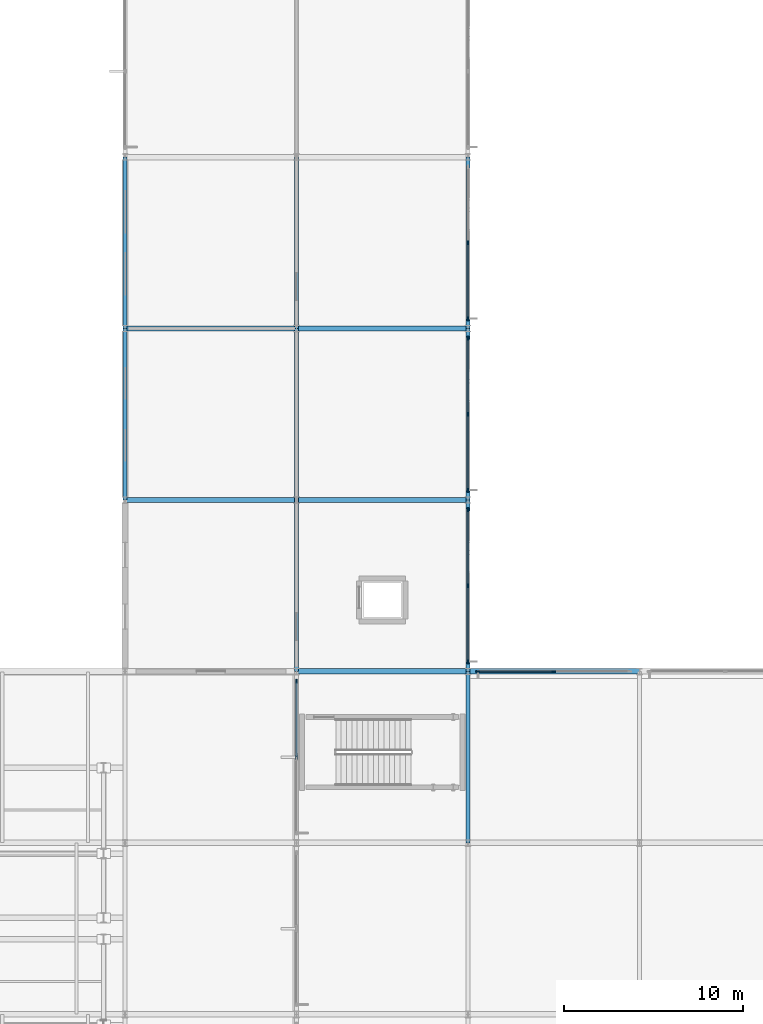
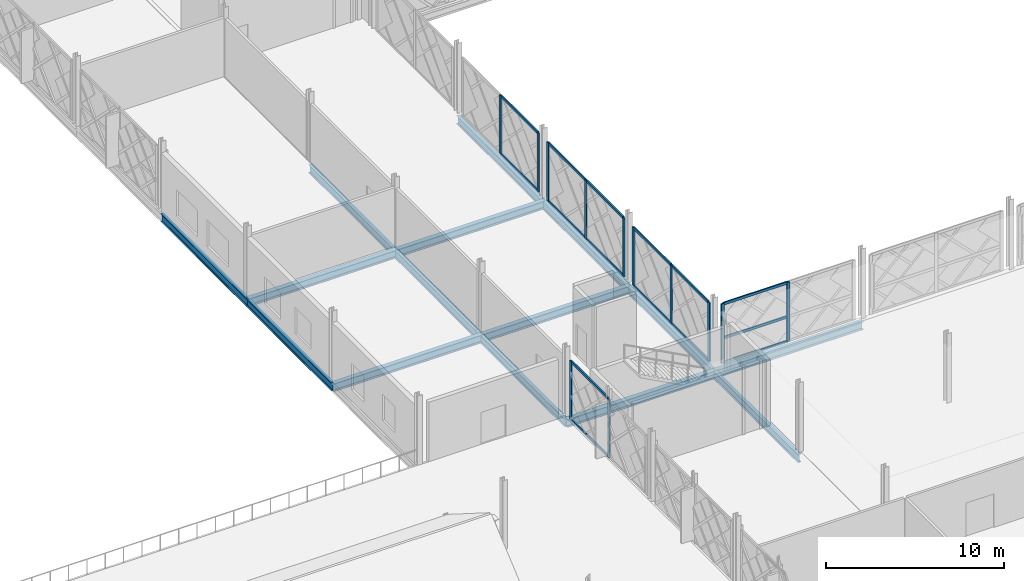
# One storey, part 22 of 77: 27 members, 15 beams, 5 elements without a shape of their own.
"""IFC4 building model written with IfcOpenShell, lengths in metres."""

from ifc_helpers import new_model, si_unit, direction, frame, origin, origin_2d, place, context, subcontext, project, spatial, rectangle, i_section, extrude, material, layer, layer_set, material_profile, profile_set, type_object, element, aggregate, save


model = new_model("IFC4")

# Units and contexts
model_context = context("Model", 3, precision=1e-05, world=origin(), true_north=direction((0.0, 1.0)))
body_context = subcontext(model_context, "Body", "Model", "MODEL_VIEW")
ifc_project = project(units=[si_unit("LENGTHUNIT", "METRE"), si_unit("AREAUNIT", "SQUARE_METRE"), si_unit("VOLUMEUNIT", "CUBIC_METRE"), si_unit("PLANEANGLEUNIT", "RADIAN"), si_unit("MASSUNIT", "GRAM", prefix="KILO")], contexts=[model_context])

# Site, building, storey
site_placement = place(None, origin())
site = spatial("IfcSite", under=ifc_project, at=site_placement, CompositionType="ELEMENT")
building_placement = place(site_placement, origin())
building = spatial("IfcBuilding", under=site, at=building_placement, Name="Zevrakil Square Congress Hotel", CompositionType="ELEMENT")
storey_placement = place(building_placement, frame((0.0, 0.0, 9.89990234375)))
storey = spatial("IfcBuildingStorey", under=building, at=storey_placement, Name="L03", CompositionType="ELEMENT", Elevation=9.89990234375)

# Beams
ifc_material_1 = material(Name="Steel S355", Category="steel")
ifc_material_profile_1 = material_profile(ifc_material_1, i_section(OverallWidth=0.300048828125, OverallDepth=0.5400390625, WebThickness=0.012451171875, FlangeThickness=0.02392578125, FilletRadius=0.027099609375, at=origin_2d()), Name="HEA 550")
ifc_profile_set_1 = profile_set([ifc_material_profile_1], Name="Steel S355")
beam_type_1 = type_object("IfcBeamType", Name="BM-HEA550", PredefinedType="BEAM", material=ifc_profile_set_1)
beam_1_placement = place(storey_placement, frame((55.199951171875, 45.60009765625, -0.52978515625), z_axis=(1.0, 0.0, 0.0), x_axis=(0.0, 1.0, 0.0)))
element("IfcBeam", 1, at=beam_1_placement, inside=storey, type_object=beam_type_1, Name="L03 primary girder BX-1023", PredefinedType="BEAM", context=body_context, shape_type="SweptSolid", body=[
    extrude(i_section(OverallWidth=0.300048828125, OverallDepth=0.5400390625, WebThickness=0.012451171875, FlangeThickness=0.02392578125, FilletRadius=0.027099609375, at=origin_2d()), origin(), (0.0, 0.0, 1.0), 9.60009765625),
])
for number, where, z_axis, x_axis, name in (
    (2, (64.800048828125, 45.60009765625, -0.52978515625), (1.0, 0.0, 0.0), (0.0, 1.0, 0.0), "L03 primary girder BX-1024"),
    (3, (45.60009765625, 55.199951171875, -0.52978515625), (1.0, 0.0, 0.0), (0.0, 1.0, 0.0), "L03 primary girder BX-1034"),
):
    element("IfcBeam", number, at=place(storey_placement, frame(where, z_axis=z_axis, x_axis=x_axis)), inside=storey, type_object=beam_type_1, Name=name, PredefinedType="BEAM", context=body_context, shape_type="SweptSolid", body=[
        extrude(i_section(OverallWidth=0.300048828125, OverallDepth=0.5400390625, WebThickness=0.012451171875, FlangeThickness=0.02392578125, FilletRadius=0.027099609375, at=origin_2d()), origin(), (0.0, 0.0, 1.0), 9.599853515625),
    ])
beam_2_placement = place(storey_placement, frame((55.199951171875, 55.199951171875, -0.52978515625), z_axis=(1.0, 0.0, 0.0), x_axis=(0.0, 1.0, 0.0)))
element("IfcBeam", 4, at=beam_2_placement, inside=storey, type_object=beam_type_1, Name="L03 primary girder BX-1035", PredefinedType="BEAM", context=body_context, shape_type="SweptSolid", body=[
    extrude(i_section(OverallWidth=0.300048828125, OverallDepth=0.5400390625, WebThickness=0.012451171875, FlangeThickness=0.02392578125, FilletRadius=0.027099609375, at=origin_2d()), origin(), (0.0, 0.0, 1.0), 9.60009765625),
])
beam_3_placement = place(storey_placement, frame((45.60009765625, 64.800048828125, -0.52978515625), z_axis=(1.0, 0.0, 0.0), x_axis=(0.0, 1.0, 0.0)))
element("IfcBeam", 5, at=beam_3_placement, inside=storey, type_object=beam_type_1, Name="L03 primary girder BX-1037", PredefinedType="BEAM", context=body_context, shape_type="SweptSolid", body=[
    extrude(i_section(OverallWidth=0.300048828125, OverallDepth=0.5400390625, WebThickness=0.012451171875, FlangeThickness=0.02392578125, FilletRadius=0.027099609375, at=origin_2d()), origin(), (0.0, 0.0, 1.0), 9.599853515625),
])
beam_4_placement = place(storey_placement, frame((55.199951171875, 64.800048828125, -0.52978515625), z_axis=(1.0, 0.0, 0.0), x_axis=(0.0, 1.0, 0.0)))
element("IfcBeam", 6, at=beam_4_placement, inside=storey, type_object=beam_type_1, Name="L03 primary girder BX-1038", PredefinedType="BEAM", context=body_context, shape_type="SweptSolid", body=[
    extrude(i_section(OverallWidth=0.300048828125, OverallDepth=0.5400390625, WebThickness=0.012451171875, FlangeThickness=0.02392578125, FilletRadius=0.027099609375, at=origin_2d()), origin(), (0.0, 0.0, 1.0), 9.60009765625),
])
ifc_material_2 = material(Name="Steel S355", Category="steel")
ifc_material_profile_2 = material_profile(ifc_material_2, i_section(OverallWidth=0.2099609375, OverallDepth=0.550048828125, WebThickness=0.010986328125, FlangeThickness=0.01708984375, FilletRadius=0.02392578125, at=origin_2d()), Name="IPE 550")
ifc_profile_set_2 = profile_set([ifc_material_profile_2], Name="Steel S355")
beam_type_2 = type_object("IfcBeamType", Name="BM-IPE550", PredefinedType="BEAM", material=ifc_profile_set_2)
beam_5_placement = place(storey_placement, frame((45.60009765625, 55.199951171875, -0.534912109375), z_axis=(0.0, 1.0, 0.0), x_axis=(-1.0, 0.0, 0.0)))
element("IfcBeam", 7, at=beam_5_placement, inside=storey, type_object=beam_type_2, Name="L03 primary girder BY-1094", PredefinedType="BEAM", context=body_context, shape_type="SweptSolid", body=[
    extrude(i_section(OverallWidth=0.2099609375, OverallDepth=0.550048828125, WebThickness=0.010986328125, FlangeThickness=0.01708984375, FilletRadius=0.02392578125, at=origin_2d()), origin(), (0.0, 0.0, 1.0), 9.60009765625),
])
for number, where, z_axis, x_axis, name in (
    (8, (45.60009765625, 64.800048828125, -0.534912109375), (0.0, 1.0, 0.0), (-1.0, 0.0, 0.0), "L03 primary girder BY-1095"),
    (9, (55.199951171875, 45.60009765625, -0.534912109375), (0.0, 1.0, 0.0), (-1.0, 0.0, 0.0), "L03 primary girder BY-1104"),
):
    element("IfcBeam", number, at=place(storey_placement, frame(where, z_axis=z_axis, x_axis=x_axis)), inside=storey, type_object=beam_type_2, Name=name, PredefinedType="BEAM", context=body_context, shape_type="SweptSolid", body=[
        extrude(i_section(OverallWidth=0.2099609375, OverallDepth=0.550048828125, WebThickness=0.010986328125, FlangeThickness=0.01708984375, FilletRadius=0.02392578125, at=origin_2d()), origin(), (0.0, 0.0, 1.0), 9.599853515625),
    ])
beam_6_placement = place(storey_placement, frame((55.199951171875, 55.199951171875, -0.534912109375), z_axis=(0.0, 1.0, 0.0), x_axis=(-1.0, 0.0, 0.0)))
element("IfcBeam", 10, at=beam_6_placement, inside=storey, type_object=beam_type_2, Name="L03 primary girder BY-1105", PredefinedType="BEAM", context=body_context, shape_type="SweptSolid", body=[
    extrude(i_section(OverallWidth=0.2099609375, OverallDepth=0.550048828125, WebThickness=0.010986328125, FlangeThickness=0.01708984375, FilletRadius=0.02392578125, at=origin_2d()), origin(), (0.0, 0.0, 1.0), 9.60009765625),
])
beam_7_placement = place(storey_placement, frame((55.199951171875, 64.800048828125, -0.534912109375), z_axis=(0.0, 1.0, 0.0), x_axis=(-1.0, 0.0, 0.0)))
element("IfcBeam", 11, at=beam_7_placement, inside=storey, type_object=beam_type_2, Name="L03 primary girder BY-1106", PredefinedType="BEAM", context=body_context, shape_type="SweptSolid", body=[
    extrude(i_section(OverallWidth=0.2099609375, OverallDepth=0.550048828125, WebThickness=0.010986328125, FlangeThickness=0.01708984375, FilletRadius=0.02392578125, at=origin_2d()), origin(), (0.0, 0.0, 1.0), 9.599853515625),
])
beam_8_placement = place(storey_placement, frame((64.800048828125, 36.0, -0.534912109375), z_axis=(0.0, 1.0, 0.0), x_axis=(-1.0, 0.0, 0.0)))
element("IfcBeam", 12, at=beam_8_placement, inside=storey, type_object=beam_type_2, Name="L03 primary girder BY-1114", PredefinedType="BEAM", context=body_context, shape_type="SweptSolid", body=[
    extrude(i_section(OverallWidth=0.2099609375, OverallDepth=0.550048828125, WebThickness=0.010986328125, FlangeThickness=0.01708984375, FilletRadius=0.02392578125, at=origin_2d()), origin(), (0.0, 0.0, 1.0), 9.60009765625),
])
beam_9_placement = place(storey_placement, frame((64.800048828125, 45.60009765625, -0.534912109375), z_axis=(0.0, 1.0, 0.0), x_axis=(-1.0, 0.0, 0.0)))
element("IfcBeam", 13, at=beam_9_placement, inside=storey, type_object=beam_type_2, Name="L03 primary girder BY-1115", PredefinedType="BEAM", context=body_context, shape_type="SweptSolid", body=[
    extrude(i_section(OverallWidth=0.2099609375, OverallDepth=0.550048828125, WebThickness=0.010986328125, FlangeThickness=0.01708984375, FilletRadius=0.02392578125, at=origin_2d()), origin(), (0.0, 0.0, 1.0), 9.599853515625),
])
beam_10_placement = place(storey_placement, frame((64.800048828125, 55.199951171875, -0.534912109375), z_axis=(0.0, 1.0, 0.0), x_axis=(-1.0, 0.0, 0.0)))
element("IfcBeam", 14, at=beam_10_placement, inside=storey, type_object=beam_type_2, Name="L03 primary girder BY-1116", PredefinedType="BEAM", context=body_context, shape_type="SweptSolid", body=[
    extrude(i_section(OverallWidth=0.2099609375, OverallDepth=0.550048828125, WebThickness=0.010986328125, FlangeThickness=0.01708984375, FilletRadius=0.02392578125, at=origin_2d()), origin(), (0.0, 0.0, 1.0), 9.60009765625),
])
beam_11_placement = place(storey_placement, frame((64.800048828125, 64.800048828125, -0.534912109375), z_axis=(0.0, 1.0, 0.0), x_axis=(-1.0, 0.0, 0.0)))
element("IfcBeam", 15, at=beam_11_placement, inside=storey, type_object=beam_type_2, Name="L03 primary girder BY-1117", PredefinedType="BEAM", context=body_context, shape_type="SweptSolid", body=[
    extrude(i_section(OverallWidth=0.2099609375, OverallDepth=0.550048828125, WebThickness=0.010986328125, FlangeThickness=0.01708984375, FilletRadius=0.02392578125, at=origin_2d()), origin(), (0.0, 0.0, 1.0), 9.599853515625),
])

# Curtain wall, members
ifc_material_3 = material(Name="Aluminium Anodised Bronze", Category="aluminium")
ifc_layer = layer(ifc_material_3, 0.179931640625)
ifc_layer_set = layer_set([ifc_layer], Name="Aluminium Anodised Bronze")
curtain_wall_type = type_object("IfcCurtainWallType", Name="CW-L03-840", PredefinedType="USERDEFINED", material=ifc_layer_set)
curtain_wall_1_placement = place(storey_placement, origin())
curtain_wall_1 = element("IfcCurtainWall", 16, at=curtain_wall_1_placement, inside=storey, type_object=curtain_wall_type, Name="L03 diamond curtain wall CW-L03-0035", ObjectType="GLAZED CURTAIN WALL", PredefinedType="USERDEFINED")
ifc_material_4 = material(Name="Aluminium Anodised Bronze", Category="aluminium")
ifc_material_profile_3 = material_profile(ifc_material_4, rectangle(XDim=0.0849609375, YDim=0.179931640625, at=origin_2d()), Name="ALU 85x180")
ifc_profile_set_3 = profile_set([ifc_material_profile_3], Name="Aluminium Anodised Bronze")
member_type_1 = type_object("IfcMemberType", Name="CWM-ALU85x180", PredefinedType="USERDEFINED", material=ifc_profile_set_3)
member_1_placement = place(storey_placement, frame((55.199951171875, 40.830078125, 0.030029296875), z_axis=(0.0, 1.0, 0.0), x_axis=(-1.0, 0.0, 0.0)))
member_1 = element("IfcMember", 17, at=member_1_placement, type_object=member_type_1, Name="CW-35 transom 2.1", ObjectType="TRANSOM", PredefinedType="USERDEFINED", context=body_context, shape_type="SweptSolid", body=[
    extrude(rectangle(XDim=0.0849609375, YDim=0.179931640625, at=origin_2d()), origin(), (0.0, 0.0, 1.0), 4.18994140625),
])
member_2_placement = place(storey_placement, frame((55.199951171875, 40.830078125, 3.9951171875), z_axis=(0.0, 1.0, 0.0), x_axis=(-1.0, 0.0, 0.0)))
member_2 = element("IfcMember", 18, at=member_2_placement, type_object=member_type_1, Name="CW-35 transom 2.2", ObjectType="TRANSOM", PredefinedType="USERDEFINED", context=body_context, shape_type="SweptSolid", body=[
    extrude(rectangle(XDim=0.0849609375, YDim=0.179931640625, at=origin_2d()), origin(), (0.0, 0.0, 1.0), 4.18994140625),
])

curtain_wall_2_placement = place(storey_placement, origin())
curtain_wall_2 = element("IfcCurtainWall", 19, at=curtain_wall_2_placement, inside=storey, type_object=curtain_wall_type, Name="L03 diamond curtain wall CW-L03-0100", ObjectType="GLAZED CURTAIN WALL", PredefinedType="USERDEFINED")
member_3_placement = place(storey_placement, frame((65.3798828125, 45.60009765625, 0.030029296875), z_axis=(1.0, 0.0, 0.0), x_axis=(0.0, 1.0, 0.0)))
member_3 = element("IfcMember", 20, at=member_3_placement, type_object=member_type_1, Name="CW-35 transom 1.1", ObjectType="TRANSOM", PredefinedType="USERDEFINED", context=body_context, shape_type="SweptSolid", body=[
    extrude(rectangle(XDim=0.0849609375, YDim=0.179931640625, at=origin_2d()), origin(), (0.0, 0.0, 1.0), 4.190185546875),
])
member_4_placement = place(storey_placement, frame((65.3798828125, 45.60009765625, 1.7158203125), z_axis=(1.0, 0.0, 0.0), x_axis=(0.0, 1.0, 0.0)))
member_4 = element("IfcMember", 21, at=member_4_placement, type_object=member_type_1, Name="CW-35 transom 1.2", ObjectType="TRANSOM", PredefinedType="USERDEFINED", context=body_context, shape_type="SweptSolid", body=[
    extrude(rectangle(XDim=0.0849609375, YDim=0.179931640625, at=origin_2d()), origin(), (0.0, 0.0, 1.0), 4.190185546875),
])
member_5_placement = place(storey_placement, frame((65.3798828125, 45.60009765625, 4.05517578125), z_axis=(1.0, 0.0, 0.0), x_axis=(0.0, 1.0, 0.0)))
member_5 = element("IfcMember", 22, at=member_5_placement, type_object=member_type_1, Name="CW-35 transom 1.3", ObjectType="TRANSOM", PredefinedType="USERDEFINED", context=body_context, shape_type="SweptSolid", body=[
    extrude(rectangle(XDim=0.0849609375, YDim=0.179931640625, at=origin_2d()), origin(), (0.0, 0.0, 1.0), 4.190185546875),
])

curtain_wall_3_placement = place(storey_placement, origin())
curtain_wall_3 = element("IfcCurtainWall", 23, at=curtain_wall_3_placement, inside=storey, type_object=curtain_wall_type, Name="L03 diamond curtain wall CW-L03-0121", ObjectType="GLAZED CURTAIN WALL", PredefinedType="USERDEFINED")
member_6_placement = place(storey_placement, frame((64.800048828125, 46.179931640625, 0.030029296875), z_axis=(0.0, 1.0, 0.0), x_axis=(-1.0, 0.0, 0.0)))
member_6 = element("IfcMember", 24, at=member_6_placement, type_object=member_type_1, Name="CW-35 transom 1.1", ObjectType="TRANSOM", PredefinedType="USERDEFINED", context=body_context, shape_type="SweptSolid", body=[
    extrude(rectangle(XDim=0.0849609375, YDim=0.179931640625, at=origin_2d()), origin(), (0.0, 0.0, 1.0), 4.190185546875),
])
member_7_placement = place(storey_placement, frame((64.800048828125, 46.179931640625, 3.9951171875), z_axis=(0.0, 1.0, 0.0), x_axis=(-1.0, 0.0, 0.0)))
member_7 = element("IfcMember", 25, at=member_7_placement, type_object=member_type_1, Name="CW-35 transom 1.2", ObjectType="TRANSOM", PredefinedType="USERDEFINED", context=body_context, shape_type="SweptSolid", body=[
    extrude(rectangle(XDim=0.0849609375, YDim=0.179931640625, at=origin_2d()), origin(), (0.0, 0.0, 1.0), 4.190185546875),
])
member_8_placement = place(storey_placement, frame((64.800048828125, 50.429931640625, 0.030029296875), z_axis=(0.0, 1.0, 0.0), x_axis=(-1.0, 0.0, 0.0)))
member_8 = element("IfcMember", 26, at=member_8_placement, type_object=member_type_1, Name="CW-35 transom 2.1", ObjectType="TRANSOM", PredefinedType="USERDEFINED", context=body_context, shape_type="SweptSolid", body=[
    extrude(rectangle(XDim=0.0849609375, YDim=0.179931640625, at=origin_2d()), origin(), (0.0, 0.0, 1.0), 4.190185546875),
])
member_9_placement = place(storey_placement, frame((64.800048828125, 50.429931640625, 3.9951171875), z_axis=(0.0, 1.0, 0.0), x_axis=(-1.0, 0.0, 0.0)))
member_9 = element("IfcMember", 27, at=member_9_placement, type_object=member_type_1, Name="CW-35 transom 2.2", ObjectType="TRANSOM", PredefinedType="USERDEFINED", context=body_context, shape_type="SweptSolid", body=[
    extrude(rectangle(XDim=0.0849609375, YDim=0.179931640625, at=origin_2d()), origin(), (0.0, 0.0, 1.0), 4.190185546875),
])

curtain_wall_4_placement = place(storey_placement, origin())
curtain_wall_4 = element("IfcCurtainWall", 28, at=curtain_wall_4_placement, inside=storey, type_object=curtain_wall_type, Name="L03 diamond curtain wall CW-L03-0127", ObjectType="GLAZED CURTAIN WALL", PredefinedType="USERDEFINED")
member_10_placement = place(storey_placement, frame((64.800048828125, 55.780029296875, 0.030029296875), z_axis=(0.0, 1.0, 0.0), x_axis=(-1.0, 0.0, 0.0)))
member_10 = element("IfcMember", 29, at=member_10_placement, type_object=member_type_1, Name="CW-35 transom 1.1", ObjectType="TRANSOM", PredefinedType="USERDEFINED", context=body_context, shape_type="SweptSolid", body=[
    extrude(rectangle(XDim=0.0849609375, YDim=0.179931640625, at=origin_2d()), origin(), (0.0, 0.0, 1.0), 4.18994140625),
])
member_11_placement = place(storey_placement, frame((64.800048828125, 55.780029296875, 3.9951171875), z_axis=(0.0, 1.0, 0.0), x_axis=(-1.0, 0.0, 0.0)))
member_11 = element("IfcMember", 30, at=member_11_placement, type_object=member_type_1, Name="CW-35 transom 1.2", ObjectType="TRANSOM", PredefinedType="USERDEFINED", context=body_context, shape_type="SweptSolid", body=[
    extrude(rectangle(XDim=0.0849609375, YDim=0.179931640625, at=origin_2d()), origin(), (0.0, 0.0, 1.0), 4.18994140625),
])
member_12_placement = place(storey_placement, frame((64.800048828125, 60.030029296875, 0.030029296875), z_axis=(0.0, 1.0, 0.0), x_axis=(-1.0, 0.0, 0.0)))
member_12 = element("IfcMember", 31, at=member_12_placement, type_object=member_type_1, Name="CW-35 transom 2.1", ObjectType="TRANSOM", PredefinedType="USERDEFINED", context=body_context, shape_type="SweptSolid", body=[
    extrude(rectangle(XDim=0.0849609375, YDim=0.179931640625, at=origin_2d()), origin(), (0.0, 0.0, 1.0), 4.18994140625),
])
member_13_placement = place(storey_placement, frame((64.800048828125, 60.030029296875, 3.9951171875), z_axis=(0.0, 1.0, 0.0), x_axis=(-1.0, 0.0, 0.0)))
member_13 = element("IfcMember", 32, at=member_13_placement, type_object=member_type_1, Name="CW-35 transom 2.2", ObjectType="TRANSOM", PredefinedType="USERDEFINED", context=body_context, shape_type="SweptSolid", body=[
    extrude(rectangle(XDim=0.0849609375, YDim=0.179931640625, at=origin_2d()), origin(), (0.0, 0.0, 1.0), 4.18994140625),
])

curtain_wall_5_placement = place(storey_placement, origin())
curtain_wall_5 = element("IfcCurtainWall", 33, at=curtain_wall_5_placement, inside=storey, type_object=curtain_wall_type, Name="L03 diamond curtain wall CW-L03-0133", ObjectType="GLAZED CURTAIN WALL", PredefinedType="USERDEFINED")
member_14_placement = place(storey_placement, frame((64.800048828125, 65.3798828125, 0.030029296875), z_axis=(0.0, 1.0, 0.0), x_axis=(-1.0, 0.0, 0.0)))
member_14 = element("IfcMember", 34, at=member_14_placement, type_object=member_type_1, Name="CW-35 transom 1.1", ObjectType="TRANSOM", PredefinedType="USERDEFINED", context=body_context, shape_type="SweptSolid", body=[
    extrude(rectangle(XDim=0.0849609375, YDim=0.179931640625, at=origin_2d()), origin(), (0.0, 0.0, 1.0), 4.190185546875),
])
member_15_placement = place(storey_placement, frame((64.800048828125, 65.3798828125, 3.9951171875), z_axis=(0.0, 1.0, 0.0), x_axis=(-1.0, 0.0, 0.0)))
member_15 = element("IfcMember", 35, at=member_15_placement, type_object=member_type_1, Name="CW-35 transom 1.2", ObjectType="TRANSOM", PredefinedType="USERDEFINED", context=body_context, shape_type="SweptSolid", body=[
    extrude(rectangle(XDim=0.0849609375, YDim=0.179931640625, at=origin_2d()), origin(), (0.0, 0.0, 1.0), 4.190185546875),
])

# Member
ifc_material_5 = material(Name="Aluminium Anodised Bronze", Category="aluminium")
ifc_material_profile_4 = material_profile(ifc_material_5, rectangle(XDim=0.0849609375, YDim=0.219970703125, at=origin_2d()), Name="ALU 85x220")
ifc_profile_set_4 = profile_set([ifc_material_profile_4], Name="Aluminium Anodised Bronze")
member_type_2 = type_object("IfcMemberType", Name="CWM-ALU85x220", PredefinedType="MULLION", material=ifc_profile_set_4)
member_16_placement = place(storey_placement, frame((55.199951171875, 40.800048828125, 0.0), z_axis=(0.0, 0.0, 1.0), x_axis=(-1.0, 0.0, 0.0)))
member_16 = element("IfcMember", 36, at=member_16_placement, type_object=member_type_2, Name="CW-35 mullion 2", PredefinedType="MULLION", context=body_context, shape_type="SweptSolid", body=[
    extrude(rectangle(XDim=0.0849609375, YDim=0.219970703125, at=origin_2d()), origin(), (0.0, 0.0, 1.0), 4.025146484375),
])

member_17_placement = place(storey_placement, frame((55.199951171875, 45.050048828125, 0.0), z_axis=(0.0, 0.0, 1.0), x_axis=(-1.0, 0.0, 0.0)))
member_17 = element("IfcMember", 37, at=member_17_placement, type_object=member_type_2, Name="CW-35 mullion 3", PredefinedType="MULLION", context=body_context, shape_type="SweptSolid", body=[
    extrude(rectangle(XDim=0.0849609375, YDim=0.219970703125, at=origin_2d()), origin(), (0.0, 0.0, 1.0), 4.025146484375),
])

aggregate(curtain_wall_1, [member_16, member_17, member_1, member_2])

member_18_placement = place(storey_placement, frame((65.35009765625, 45.60009765625, 0.0), z_axis=(0.0, 0.0, 1.0), x_axis=(0.0, 1.0, 0.0)))
member_18 = element("IfcMember", 38, at=member_18_placement, type_object=member_type_2, Name="CW-35 mullion 1", PredefinedType="MULLION", context=body_context, shape_type="SweptSolid", body=[
    extrude(rectangle(XDim=0.0849609375, YDim=0.219970703125, at=origin_2d()), origin(), (0.0, 0.0, 1.0), 4.085205078125),
])

member_19_placement = place(storey_placement, frame((69.60009765625, 45.60009765625, 0.0), z_axis=(0.0, 0.0, 1.0), x_axis=(0.0, 1.0, 0.0)))
member_19 = element("IfcMember", 39, at=member_19_placement, type_object=member_type_2, Name="CW-35 mullion 2", PredefinedType="MULLION", context=body_context, shape_type="SweptSolid", body=[
    extrude(rectangle(XDim=0.0849609375, YDim=0.219970703125, at=origin_2d()), origin(), (0.0, 0.0, 1.0), 4.085205078125),
])

aggregate(curtain_wall_2, [member_18, member_19, member_3, member_4, member_5])

member_20_placement = place(storey_placement, frame((64.800048828125, 46.14990234375, 0.0), z_axis=(0.0, 0.0, 1.0), x_axis=(-1.0, 0.0, 0.0)))
member_20 = element("IfcMember", 40, at=member_20_placement, type_object=member_type_2, Name="CW-35 mullion 1", PredefinedType="MULLION", context=body_context, shape_type="SweptSolid", body=[
    extrude(rectangle(XDim=0.0849609375, YDim=0.219970703125, at=origin_2d()), origin(), (0.0, 0.0, 1.0), 4.025146484375),
])

member_21_placement = place(storey_placement, frame((64.800048828125, 50.39990234375, 0.0), z_axis=(0.0, 0.0, 1.0), x_axis=(-1.0, 0.0, 0.0)))
member_21 = element("IfcMember", 41, at=member_21_placement, type_object=member_type_2, Name="CW-35 mullion 2", PredefinedType="MULLION", context=body_context, shape_type="SweptSolid", body=[
    extrude(rectangle(XDim=0.0849609375, YDim=0.219970703125, at=origin_2d()), origin(), (0.0, 0.0, 1.0), 4.025146484375),
])

member_22_placement = place(storey_placement, frame((64.800048828125, 54.64990234375, 0.0), z_axis=(0.0, 0.0, 1.0), x_axis=(-1.0, 0.0, 0.0)))
member_22 = element("IfcMember", 42, at=member_22_placement, type_object=member_type_2, Name="CW-35 mullion 3", PredefinedType="MULLION", context=body_context, shape_type="SweptSolid", body=[
    extrude(rectangle(XDim=0.0849609375, YDim=0.219970703125, at=origin_2d()), origin(), (0.0, 0.0, 1.0), 4.025146484375),
])

aggregate(curtain_wall_3, [member_20, member_21, member_22, member_6, member_7, member_8, member_9])

member_23_placement = place(storey_placement, frame((64.800048828125, 55.75, 0.0), z_axis=(0.0, 0.0, 1.0), x_axis=(-1.0, 0.0, 0.0)))
member_23 = element("IfcMember", 43, at=member_23_placement, type_object=member_type_2, Name="CW-35 mullion 1", PredefinedType="MULLION", context=body_context, shape_type="SweptSolid", body=[
    extrude(rectangle(XDim=0.0849609375, YDim=0.219970703125, at=origin_2d()), origin(), (0.0, 0.0, 1.0), 4.025146484375),
])

member_24_placement = place(storey_placement, frame((64.800048828125, 60.0, 0.0), z_axis=(0.0, 0.0, 1.0), x_axis=(-1.0, 0.0, 0.0)))
member_24 = element("IfcMember", 44, at=member_24_placement, type_object=member_type_2, Name="CW-35 mullion 2", PredefinedType="MULLION", context=body_context, shape_type="SweptSolid", body=[
    extrude(rectangle(XDim=0.0849609375, YDim=0.219970703125, at=origin_2d()), origin(), (0.0, 0.0, 1.0), 4.025146484375),
])

member_25_placement = place(storey_placement, frame((64.800048828125, 64.25, 0.0), z_axis=(0.0, 0.0, 1.0), x_axis=(-1.0, 0.0, 0.0)))
member_25 = element("IfcMember", 45, at=member_25_placement, type_object=member_type_2, Name="CW-35 mullion 3", PredefinedType="MULLION", context=body_context, shape_type="SweptSolid", body=[
    extrude(rectangle(XDim=0.0849609375, YDim=0.219970703125, at=origin_2d()), origin(), (0.0, 0.0, 1.0), 4.025146484375),
])

aggregate(curtain_wall_4, [member_23, member_24, member_25, member_10, member_11, member_12, member_13])

member_26_placement = place(storey_placement, frame((64.800048828125, 65.35009765625, 0.0), z_axis=(0.0, 0.0, 1.0), x_axis=(-1.0, 0.0, 0.0)))
member_26 = element("IfcMember", 46, at=member_26_placement, type_object=member_type_2, Name="CW-35 mullion 1", PredefinedType="MULLION", context=body_context, shape_type="SweptSolid", body=[
    extrude(rectangle(XDim=0.0849609375, YDim=0.219970703125, at=origin_2d()), origin(), (0.0, 0.0, 1.0), 4.025146484375),
])

member_27_placement = place(storey_placement, frame((64.800048828125, 69.60009765625, 0.0), z_axis=(0.0, 0.0, 1.0), x_axis=(-1.0, 0.0, 0.0)))
member_27 = element("IfcMember", 47, at=member_27_placement, type_object=member_type_2, Name="CW-35 mullion 2", PredefinedType="MULLION", context=body_context, shape_type="SweptSolid", body=[
    extrude(rectangle(XDim=0.0849609375, YDim=0.219970703125, at=origin_2d()), origin(), (0.0, 0.0, 1.0), 4.025146484375),
])

aggregate(curtain_wall_5, [member_26, member_27, member_14, member_15])

save(model, "model.ifc")
